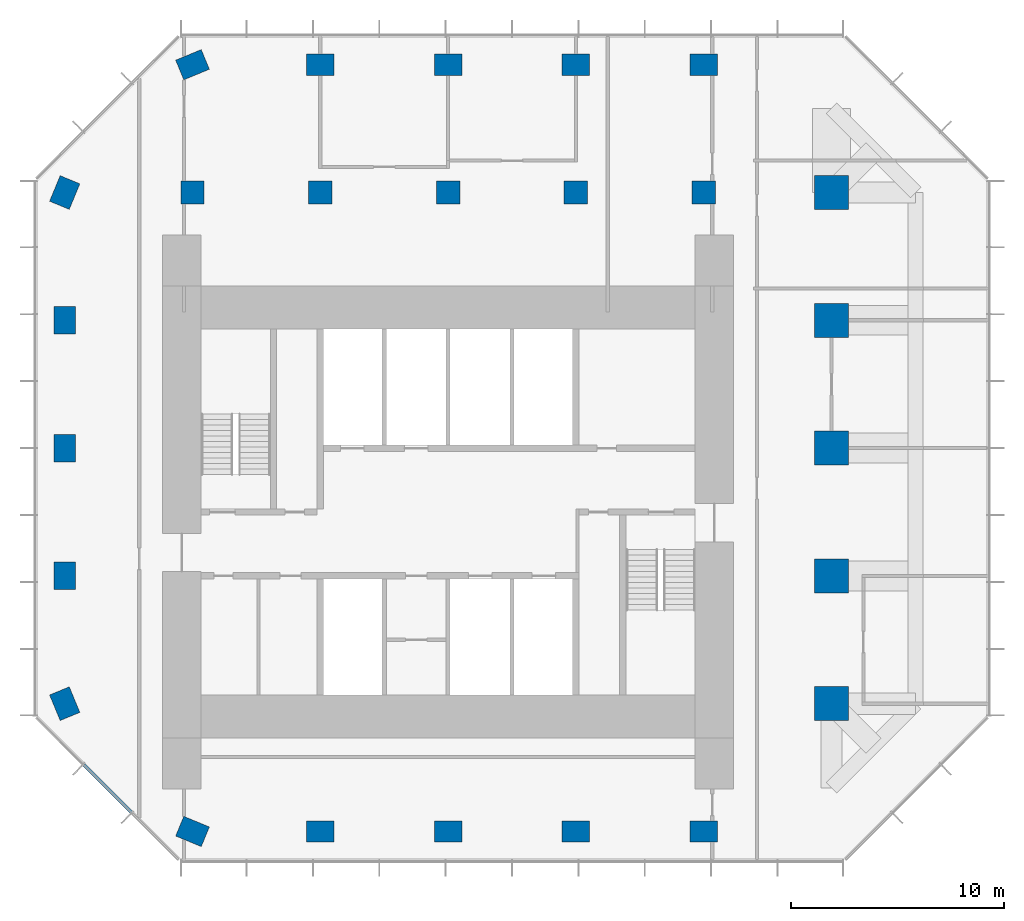
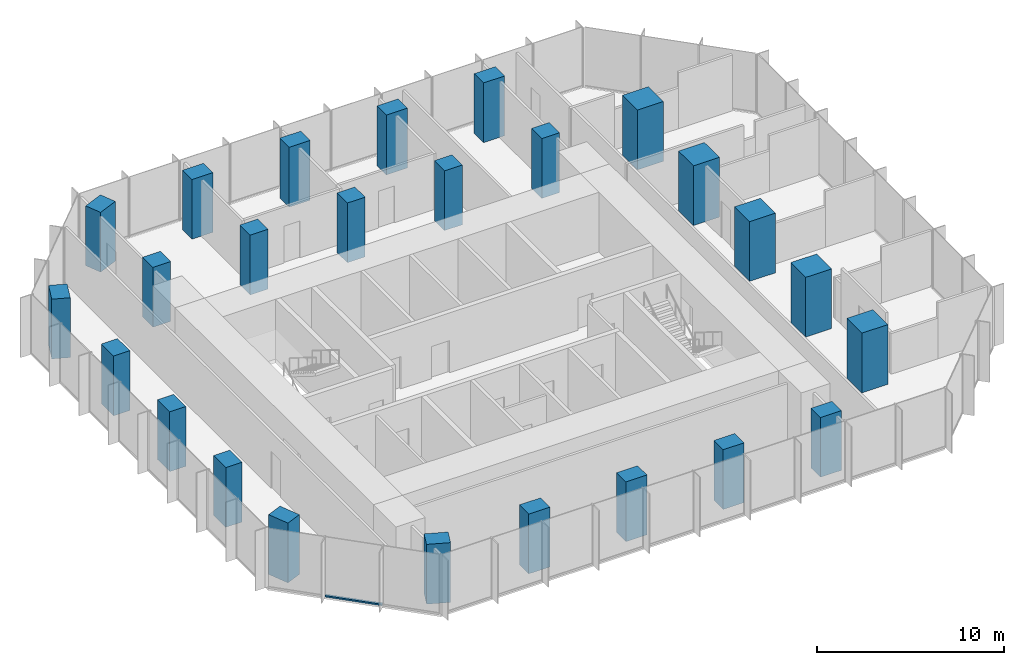
# One storey, part 1 of 10: 25 columns, 1 member, 1 element without a shape of its own.
"""IFC4 building model written with IfcOpenShell, lengths in metres."""

from ifc_helpers import new_model, si_unit, direction, frame, origin, origin_2d, place, context, subcontext, project, spatial, rectangle, extrude, material, layer, layer_set, material_profile, profile_set, type_object, element, aggregate, save


model = new_model("IFC4")

# Units and contexts
model_context = context("Model", 3, precision=1e-05, world=origin(), true_north=direction((0.0, 1.0)))
body_context = subcontext(model_context, "Body", "Model", "MODEL_VIEW")
ifc_project = project(units=[si_unit("LENGTHUNIT", "METRE"), si_unit("AREAUNIT", "SQUARE_METRE"), si_unit("VOLUMEUNIT", "CUBIC_METRE"), si_unit("PLANEANGLEUNIT", "RADIAN"), si_unit("MASSUNIT", "GRAM", prefix="KILO")], contexts=[model_context])

# Site, building, storey
site_placement = place(None, origin())
site = spatial("IfcSite", under=ifc_project, at=site_placement, CompositionType="ELEMENT")
building_placement = place(site_placement, origin())
building = spatial("IfcBuilding", under=site, at=building_placement, Name="Highveld Stack Headquarters", CompositionType="ELEMENT")
storey_placement = place(building_placement, frame((0.0, 0.0, 252.800048828125)))
storey = spatial("IfcBuildingStorey", under=building, at=storey_placement, Name="L62", CompositionType="ELEMENT", Elevation=252.800048828125)

# Columns
ifc_material_1 = material(Name="Concrete C60/75", Category="concrete")
ifc_material_profile_1 = material_profile(ifc_material_1, rectangle(XDim=1.10009765625, YDim=1.10009765625, at=origin_2d()), Name="RC 1100x1100")
ifc_profile_set_1 = profile_set([ifc_material_profile_1], Name="Concrete C60/75")
column_type_1 = type_object("IfcColumnType", Name="COLUMN RC 1100x1100 C60/75", PredefinedType="COLUMN", material=ifc_profile_set_1)
for number, where, z_axis, x_axis, name in (
    (1, (-6.0, 18.0, 0.0), (0.0, 0.0, 1.0), (1.0, 0.0, 0.0), "Column 5/H L62"),
    (2, (0.0, 18.0, 0.0), (0.0, 0.0, 1.0), (1.0, 0.0, 0.0), "Column 6/H L62"),
    (3, (6.0, 18.0, 0.0), (0.0, 0.0, 1.0), (1.0, 0.0, 0.0), "Column 7/H L62"),
    (4, (12.0, 18.0, 0.0), (0.0, 0.0, 1.0), (1.0, 0.0, 0.0), "Column 8/H L62"),
    (5, (18.0, 18.0, 0.0), (0.0, 0.0, 1.0), (1.0, 0.0, 0.0), "Column 9/H L62"),
):
    element("IfcColumn", number, at=place(storey_placement, frame(where, z_axis=z_axis, x_axis=x_axis)), inside=storey, type_object=column_type_1, Name=name, PredefinedType="COLUMN", context=body_context, shape_type="SweptSolid", body=[
        extrude(rectangle(XDim=1.10009765625, YDim=1.10009765625, at=origin_2d()), origin(), (0.0, 0.0, 1.0), 3.89990234375),
    ])
ifc_material_2 = material(Name="Concrete C60/75", Category="concrete")
ifc_material_profile_2 = material_profile(ifc_material_2, rectangle(XDim=1.300048828125, YDim=1.0, at=origin_2d()), Name="RC 1300x1000")
ifc_profile_set_2 = profile_set([ifc_material_profile_2], Name="Concrete C60/75")
column_type_2 = type_object("IfcColumnType", Name="COLUMN RC 1300x1000 C60/75", PredefinedType="COLUMN", material=ifc_profile_set_2)
for number, where, z_axis, x_axis, name in (
    (6, (-12.0, -6.0, 0.0), (0.0, 0.0, 1.0), (-0.382683432365, 0.923879532511, 0.0), "Column 4/D L62"),
    (7, (-12.0, 0.0, 0.0), (0.0, 0.0, 1.0), (0.0, 1.0, 0.0), "Column 4/E L62"),
    (8, (-12.0, 6.0, 0.0), (0.0, 0.0, 1.0), (0.0, 1.0, 0.0), "Column 4/F L62"),
    (9, (-12.0, 12.0, 0.0), (0.0, 0.0, 1.0), (0.0, 1.0, 0.0), "Column 4/G L62"),
    (10, (-12.0, 18.0, 0.0), (0.0, 0.0, 1.0), (0.382683432365, 0.923879532511, 0.0), "Column 4/H L62"),
    (11, (-6.0, -12.0, 0.0), (0.0, 0.0, 1.0), (-0.923879532511, 0.382683432365, 0.0), "Column 5/C L62"),
    (12, (-6.0, 24.0, 0.0), (0.0, 0.0, 1.0), (0.923879532511, 0.382683432365, 0.0), "Column 5/J L62"),
    (13, (0.0, -12.0, 0.0), (0.0, 0.0, 1.0), (1.0, 0.0, 0.0), "Column 6/C L62"),
    (14, (0.0, 24.0, 0.0), (0.0, 0.0, 1.0), (1.0, 0.0, 0.0), "Column 6/J L62"),
    (15, (6.0, -12.0, 0.0), (0.0, 0.0, 1.0), (1.0, 0.0, 0.0), "Column 7/C L62"),
    (16, (6.0, 24.0, 0.0), (0.0, 0.0, 1.0), (1.0, 0.0, 0.0), "Column 7/J L62"),
    (17, (12.0, -12.0, 0.0), (0.0, 0.0, 1.0), (1.0, 0.0, 0.0), "Column 8/C L62"),
    (18, (12.0, 24.0, 0.0), (0.0, 0.0, 1.0), (1.0, 0.0, 0.0), "Column 8/J L62"),
    (19, (18.0, -12.0, 0.0), (0.0, 0.0, 1.0), (1.0, 0.0, 0.0), "Column 9/C L62"),
    (20, (18.0, 24.0, 0.0), (0.0, 0.0, 1.0), (1.0, 0.0, 0.0), "Column 9/J L62"),
):
    element("IfcColumn", number, at=place(storey_placement, frame(where, z_axis=z_axis, x_axis=x_axis)), inside=storey, type_object=column_type_2, Name=name, PredefinedType="COLUMN", context=body_context, shape_type="SweptSolid", body=[
        extrude(rectangle(XDim=1.300048828125, YDim=1.0, at=origin_2d()), origin(), (0.0, 0.0, 1.0), 3.89990234375),
    ])
ifc_material_3 = material(Name="Concrete C60/75", Category="concrete")
ifc_material_profile_3 = material_profile(ifc_material_3, rectangle(XDim=1.60009765625, YDim=1.60009765625, at=origin_2d()), Name="RC 1600x1600")
ifc_profile_set_3 = profile_set([ifc_material_profile_3], Name="Concrete C60/75")
column_type_3 = type_object("IfcColumnType", Name="COLUMN RC 1600x1600 C60/75", PredefinedType="COLUMN", material=ifc_profile_set_3)
for number, where, z_axis, x_axis, name in (
    (21, (24.0, -6.0, 0.0), (0.0, 0.0, 1.0), (1.0, 0.0, 0.0), "Column 10/D L62"),
    (22, (24.0, 0.0, 0.0), (0.0, 0.0, 1.0), (1.0, 0.0, 0.0), "Column 10/E L62"),
    (23, (24.0, 6.0, 0.0), (0.0, 0.0, 1.0), (1.0, 0.0, 0.0), "Column 10/F L62"),
    (24, (24.0, 12.0, 0.0), (0.0, 0.0, 1.0), (1.0, 0.0, 0.0), "Column 10/G L62"),
    (25, (24.0, 18.0, 0.0), (0.0, 0.0, 1.0), (1.0, 0.0, 0.0), "Column 10/H L62"),
):
    element("IfcColumn", number, at=place(storey_placement, frame(where, z_axis=z_axis, x_axis=x_axis)), inside=storey, type_object=column_type_3, Name=name, PredefinedType="COLUMN", context=body_context, shape_type="SweptSolid", body=[
        extrude(rectangle(XDim=1.60009765625, YDim=1.60009765625, at=origin_2d()), origin(), (0.0, 0.0, 1.0), 3.89990234375),
    ])

# Curtain wall, member
ifc_material_4 = material(Name="Aluminium bronze anodised", Category="aluminium")
ifc_layer = layer(ifc_material_4, 0.199951171875)
ifc_layer_set = layer_set([ifc_layer], Name="Aluminium bronze anodised")
curtain_wall_type = type_object("IfcCurtainWallType", Name="CW5 EXECUTIVE UNITISED CURTAIN WALL", PredefinedType="NOTDEFINED", material=ifc_layer_set)
curtain_wall_placement = place(storey_placement, origin())
curtain_wall = element("IfcCurtainWall", 26, at=curtain_wall_placement, inside=storey, type_object=curtain_wall_type, Name="Curtain wall CW5 L62 SW", PredefinedType="NOTDEFINED")
ifc_material_5 = material(Name="Aluminium bronze anodised", Category="aluminium")
ifc_material_profile_4 = material_profile(ifc_material_5, rectangle(XDim=0.14990234375, YDim=0.10009765625, at=origin_2d()), Name="CW5 TRANSOM 150x100")
ifc_profile_set_4 = profile_set([ifc_material_profile_4], Name="Aluminium bronze anodised")
member_type = type_object("IfcMemberType", Name="CW5 STACK TRANSOM 150x100", PredefinedType="USERDEFINED", material=ifc_profile_set_4)
member_placement = place(storey_placement, frame((-11.103759765625, -8.876220703125, 0.050048828125), z_axis=(0.707106781187, -0.707106781187, 0.0), x_axis=(0.707106781187, 0.707106781187, 0.0)))
member = element("IfcMember", 27, at=member_placement, type_object=member_type, Name="CW5 transom L62 2.1", ObjectType="TRANSOM", PredefinedType="USERDEFINED", context=body_context, shape_type="SweptSolid", body=[
    extrude(rectangle(XDim=0.14990234375, YDim=0.10009765625, at=origin_2d()), origin(), (0.0, 0.0, 1.0), 3.150146484375),
])
aggregate(curtain_wall, [member])

save(model, "model.ifc")
